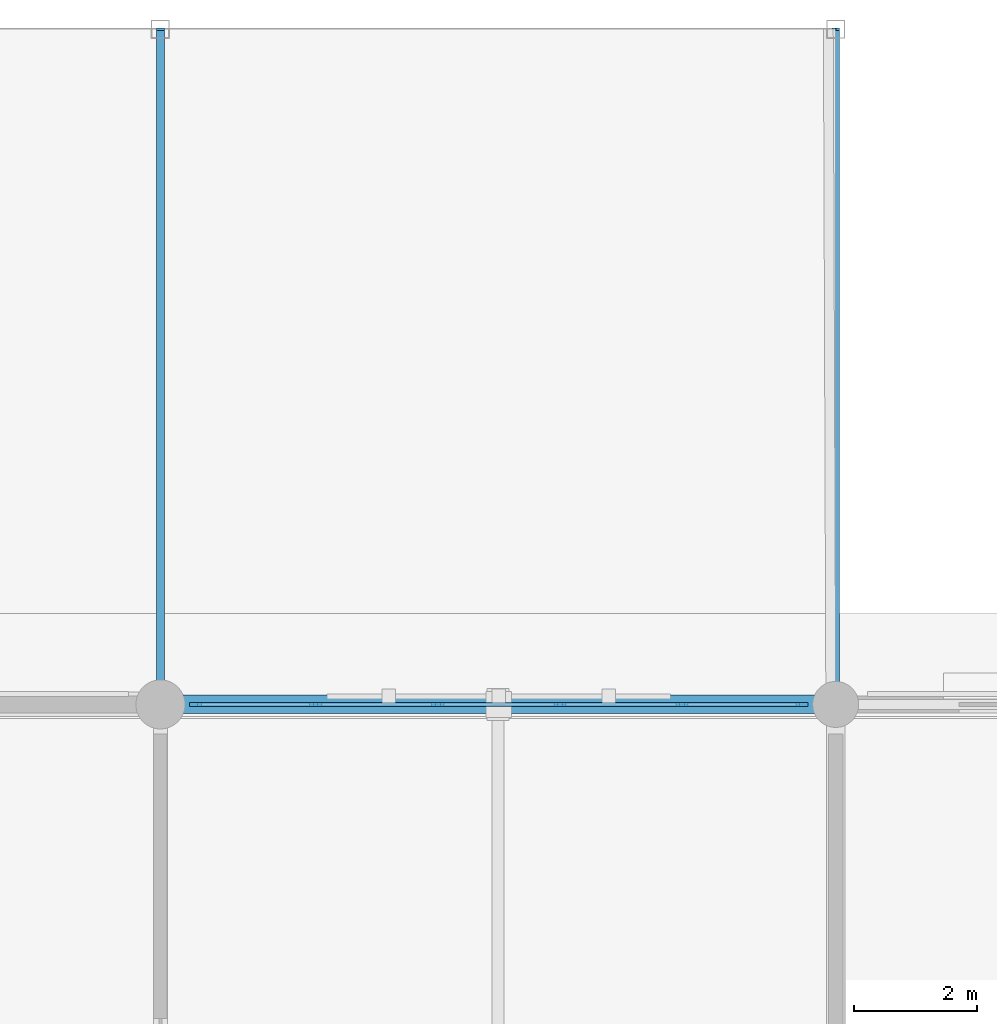
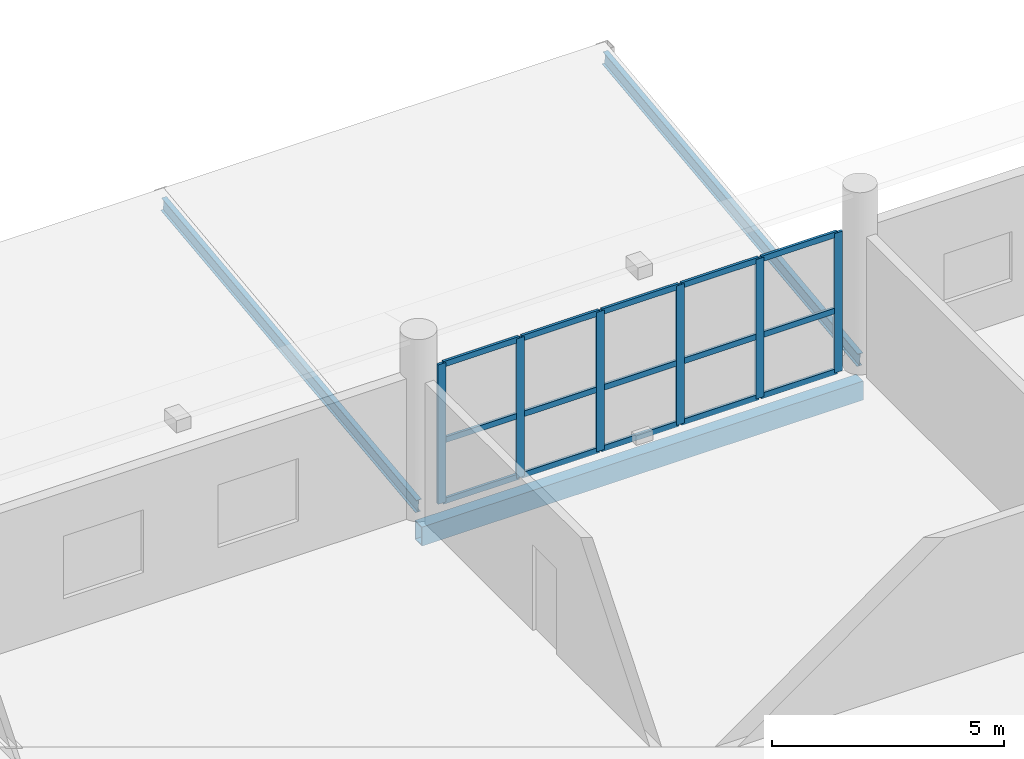
# One storey, part 70 of 143: 21 members, 3 beams, 1 element without a shape of its own.
"""IFC4 building model written with IfcOpenShell, lengths in metres."""

import ifcopenshell
import ifcopenshell.guid

model = None  # the IFC model being written
_history = None  # IfcOwnerHistory: only IFC2X3 demands one
_inside = {}  # id of a spatial element -> (the spatial element, [elements in it])
_under = {}  # id of a project, library or spatial element -> (it, [spatial elements below it])
_declared = {}  # id of a project -> (the project, [libraries it declares])
_typed = {}  # id of a type object -> (the type object, [elements of that type])
_made_of = {}  # id of a material, layer set ... -> (it, [elements and type objects made of it])


def new_model(schema):
    """Start an empty IFC model of exactly this schema.

    Asked for "IFC4X3", IfcOpenShell would pick the latest addendum, in which some entities
    have other attributes; the version numbers below select the first issue.
    IFC2X3 requires an IfcOwnerHistory on every rooted entity: one is made here for all.
    """
    global model, _history
    if schema == "IFC4X3":
        model = ifcopenshell.file(schema_version=(4, 3, 0, 0))
    else:
        model = ifcopenshell.file(schema=schema)
    _inside.clear()
    _under.clear()
    _declared.clear()
    _typed.clear()
    _made_of.clear()
    _history = None
    if model.schema == "IFC2X3":
        org = make("IfcOrganization", Name="unknown")
        user = make(
            "IfcPersonAndOrganization",
            ThePerson=make("IfcPerson", FamilyName="unknown"),
            TheOrganization=org,
        )
        app = make(
            "IfcApplication",
            ApplicationDeveloper=org,
            Version="unknown",
            ApplicationFullName="unknown",
            ApplicationIdentifier="unknown",
        )
        _history = make(
            "IfcOwnerHistory",
            OwningUser=user,
            OwningApplication=app,
            ChangeAction="ADDED",
            CreationDate=0,
        )
    return model


def make(cls, **values):
    """One entity of the class cls with the attributes given. An attribute that is None is left unset."""
    return model.create_entity(
        cls, **{name: value for name, value in values.items() if value is not None}
    )


def rooted(cls, **values):
    """An entity with a GlobalId (a new one), such as an element, a storey or a relation."""
    return make(cls, GlobalId=ifcopenshell.guid.new(), OwnerHistory=_history, **values)


def si_unit(unit_type, name, prefix=None):
    """IfcSIUnit, for example si_unit("LENGTHUNIT", "METRE", prefix="MILLI")."""
    return make("IfcSIUnit", UnitType=unit_type, Prefix=prefix, Name=name)


def assignment(units):
    """IfcUnitAssignment: the units of a project."""
    return None if units is None else make("IfcUnitAssignment", Units=units)


def point(xyz):
    """IfcCartesianPoint."""
    return None if xyz is None else make("IfcCartesianPoint", Coordinates=xyz)


def direction(xyz):
    """IfcDirection."""
    return None if xyz is None else make("IfcDirection", DirectionRatios=xyz)


def frame(location, z_axis=None, x_axis=None):
    """IfcAxis2Placement3D, a coordinate frame: its origin and axes. An axis left out is left unset."""
    return make(
        "IfcAxis2Placement3D",
        Location=point(location),
        Axis=direction(z_axis),
        RefDirection=direction(x_axis),
    )


def frame_2d(location, x_axis=None):
    """IfcAxis2Placement2D, a coordinate frame in the plane: its origin and x axis."""
    return make(
        "IfcAxis2Placement2D", Location=point(location), RefDirection=direction(x_axis)
    )


def origin():
    """The frame at (0, 0, 0) with its axes left unset."""
    return frame((0.0, 0.0, 0.0))


def origin_2d():
    """The frame at (0, 0) in the plane with its x axis left unset."""
    return frame_2d((0.0, 0.0))


def place(relative_to, where):
    """IfcLocalPlacement: puts the frame where relative to a parent placement (None: the world)."""
    return make(
        "IfcLocalPlacement", PlacementRelTo=relative_to, RelativePlacement=where
    )


def context(
    kind, dimensions, precision=None, world=None, true_north=None, identifier=None
):
    """IfcGeometricRepresentationContext, for example the 3D "Model" context."""
    return make(
        "IfcGeometricRepresentationContext",
        ContextIdentifier=identifier,
        ContextType=kind,
        CoordinateSpaceDimension=dimensions,
        Precision=precision,
        WorldCoordinateSystem=world,
        TrueNorth=true_north,
    )


def subcontext(parent, identifier, kind, view, scale=None):
    """IfcGeometricRepresentationSubContext, for example "Body" below "Model"."""
    return make(
        "IfcGeometricRepresentationSubContext",
        ContextIdentifier=identifier,
        ContextType=kind,
        ParentContext=parent,
        TargetScale=scale,
        TargetView=view,
    )


def project(units=None, contexts=None):
    """IfcProject with its units and contexts."""
    return rooted(
        "IfcProject",
        Name="project",
        RepresentationContexts=contexts,
        UnitsInContext=assignment(units),
    )


def spatial(cls, under=None, at=None, **own):
    """A site, building, storey or space (cls), placed at a placement, below another one or the project."""
    s = rooted(cls, ObjectPlacement=at, **own)
    if under is not None:
        _under.setdefault(under.id(), (under, []))[1].append(s)
    return s


def profile(cls, at=None, kind="AREA", **sizes):
    """A parametric profile (cls). Its sizes go by their IFC names, for example OverallWidth=200.0."""
    return make(cls, ProfileType=kind, Position=at, **sizes)


def rectangle(**sizes):
    """IfcRectangleProfileDef."""
    return profile("IfcRectangleProfileDef", **sizes)


def hollow_rectangle(**sizes):
    """IfcRectangleHollowProfileDef."""
    return profile("IfcRectangleHollowProfileDef", **sizes)


def i_section(**sizes):
    """IfcIShapeProfileDef."""
    return profile("IfcIShapeProfileDef", **sizes)


def extrude(swept, where, along, depth):
    """IfcExtrudedAreaSolid: the profile swept, set in the frame where, extruded along a direction by depth."""
    return make(
        "IfcExtrudedAreaSolid",
        SweptArea=swept,
        Position=where,
        ExtrudedDirection=direction(along),
        Depth=depth,
    )


def shape(context_of_items, identifier, shape_type, items):
    """IfcShapeRepresentation: the items that make up one representation, for example the "Body"."""
    return make(
        "IfcShapeRepresentation",
        ContextOfItems=context_of_items,
        RepresentationIdentifier=identifier,
        RepresentationType=shape_type,
        Items=items,
    )


def material(Name=None, Category=None):
    """IfcMaterial."""
    return make("IfcMaterial", Name=Name, Category=Category)


def material_profile(
    of_material, cross_section, Name=None, Category=None, Priority=None
):
    """IfcMaterialProfile: a cross section and its material."""
    return make(
        "IfcMaterialProfile",
        Name=Name,
        Material=of_material,
        Profile=cross_section,
        Priority=Priority,
        Category=Category,
    )


def profile_set(profiles, Name=None, composite=None):
    """IfcMaterialProfileSet."""
    return make(
        "IfcMaterialProfileSet",
        Name=Name,
        MaterialProfiles=profiles,
        CompositeProfile=composite,
    )


def made_of(thing, what):
    """Note that an element or type object is made of a material, layer set ...; save() writes the relation."""
    if what is not None:
        _made_of.setdefault(what.id(), (what, []))[1].append(thing)
    return thing


def type_object(cls, material=None, **own):
    """A type object (cls), such as IfcWallType, which elements share."""
    return made_of(rooted(cls, **own), material)


def element(
    cls,
    number,
    at=None,
    inside=None,
    cuts=None,
    type_object=None,
    material=None,
    context=None,
    identifier="Body",
    shape_type=None,
    held_by="IfcProductDefinitionShape",
    body=None,
    shapes=None,
    **own,
):
    """One element of the class cls, such as IfcWall. Its Tag is "e" and its number.

    at: its placement. inside: the storey or other place that contains it. cuts: it is an
    opening in that element (IfcRelVoidsElement). A single representation is given by context,
    identifier, shape_type and body (its items); several are given by shapes. held_by: the class
    of the entity that holds the representations. save() writes the other relations.
    """
    e = rooted(cls, Tag="e%d" % number, ObjectPlacement=at, **own)
    if body is not None:
        shapes = [shape(context, identifier, shape_type, body)]
    if shapes is not None:
        e.Representation = make(held_by, Representations=shapes)
    if inside is not None:
        _inside.setdefault(inside.id(), (inside, []))[1].append(e)
    if cuts is not None:
        rooted(
            "IfcRelVoidsElement", RelatingBuildingElement=cuts, RelatedOpeningElement=e
        )
    if type_object is not None:
        _typed.setdefault(type_object.id(), (type_object, []))[1].append(e)
    return made_of(e, material)


def aggregate(whole, parts):
    """IfcRelAggregates: a whole, such as a stair, and the parts it consists of."""
    return rooted("IfcRelAggregates", RelatingObject=whole, RelatedObjects=parts)


def save(model, path):
    """Write the relations noted so far, then the file.

    IfcRelAggregates (storeys below a building ...), IfcRelContainedInSpatialStructure (elements
    in a storey), IfcRelDefinesByType, IfcRelAssociatesMaterial and IfcRelDeclares: one each for
    every whole, place, type object, material and project.
    """
    for whole, parts in _under.values():
        aggregate(whole, parts)
    for where, things in _inside.values():
        rooted(
            "IfcRelContainedInSpatialStructure",
            RelatedElements=things,
            RelatingStructure=where,
        )
    for kind, things in _typed.values():
        rooted("IfcRelDefinesByType", RelatedObjects=things, RelatingType=kind)
    for what, things in _made_of.values():
        rooted("IfcRelAssociatesMaterial", RelatedObjects=things, RelatingMaterial=what)
    for by, libraries in _declared.values():
        rooted("IfcRelDeclares", RelatingContext=by, RelatedDefinitions=libraries)
    model.write(path)


model = new_model("IFC4")

# Units and contexts
model_context = context("Model", 3, precision=1e-05, world=origin(), true_north=direction((0.0, 1.0)))
body_context = subcontext(model_context, "Body", "Model", "MODEL_VIEW")
ifc_project = project(units=[si_unit("LENGTHUNIT", "METRE"), si_unit("AREAUNIT", "SQUARE_METRE"), si_unit("VOLUMEUNIT", "CUBIC_METRE"), si_unit("PLANEANGLEUNIT", "RADIAN"), si_unit("MASSUNIT", "GRAM", prefix="KILO")], contexts=[model_context])

# Site, building, storey
site_placement = place(None, origin())
site = spatial("IfcSite", under=ifc_project, at=site_placement, CompositionType="ELEMENT")
building_placement = place(site_placement, origin())
building = spatial("IfcBuilding", under=site, at=building_placement, Name="Luwafu Chhajja Arena", CompositionType="ELEMENT")
storey_placement = place(building_placement, frame((0.0, 0.0, 5.39990234375)))
storey = spatial("IfcBuildingStorey", under=building, at=storey_placement, Name="L01", CompositionType="ELEMENT", Elevation=5.39990234375)

# Curtain wall, members
ifc_material_1 = material(Name="Anodised bronze aluminium", Category="aluminium")
curtain_wall_type = type_object("IfcCurtainWallType", Name="VIP Club Terrace Curtain Wall", PredefinedType="USERDEFINED", material=ifc_material_1)
curtain_wall_placement = place(storey_placement, origin())
curtain_wall = element("IfcCurtainWall", 1, at=curtain_wall_placement, inside=storey, type_object=curtain_wall_type, Name="L01 Curtain Wall CWG-L01-H15_11", ObjectType="CURTAIN WALL", PredefinedType="USERDEFINED")
ifc_material_profile_1 = material_profile(ifc_material_1, rectangle(XDim=0.06494140625, YDim=0.199951171875, at=origin_2d()), Name="CWM 65x200")
ifc_profile_set_1 = profile_set([ifc_material_profile_1], Name="Anodised bronze aluminium")
member_type_1 = type_object("IfcMemberType", Name="Bronze Curtain Wall Mullion 65x200", PredefinedType="MULLION", material=ifc_profile_set_1)
member_1_placement = place(storey_placement, frame((176.572509765625, 121.0, 0.030029296875), z_axis=(0.0, 0.0, 1.0), x_axis=(0.0, 1.0, 0.0)))
member_1 = element("IfcMember", 2, at=member_1_placement, type_object=member_type_1, Name="CW-10 mullion 1", PredefinedType="MULLION", context=body_context, shape_type="SweptSolid", body=[
    extrude(rectangle(XDim=0.06494140625, YDim=0.199951171875, at=origin_2d()), origin(), (0.0, 0.0, 1.0), 3.675048828125),
])
member_2_placement = place(storey_placement, frame((178.529052734375, 121.0, 0.030029296875), z_axis=(0.0, 0.0, 1.0), x_axis=(0.0, 1.0, 0.0)))
member_2 = element("IfcMember", 3, at=member_2_placement, type_object=member_type_1, Name="CW-10 mullion 2", PredefinedType="MULLION", context=body_context, shape_type="SweptSolid", body=[
    extrude(rectangle(XDim=0.06494140625, YDim=0.199951171875, at=origin_2d()), origin(), (0.0, 0.0, 1.0), 3.675048828125),
])
member_3_placement = place(storey_placement, frame((180.51806640625, 121.0, 0.030029296875), z_axis=(0.0, 0.0, 1.0), x_axis=(0.0, 1.0, 0.0)))
member_3 = element("IfcMember", 4, at=member_3_placement, type_object=member_type_1, Name="CW-10 mullion 3", PredefinedType="MULLION", context=body_context, shape_type="SweptSolid", body=[
    extrude(rectangle(XDim=0.06494140625, YDim=0.199951171875, at=origin_2d()), origin(), (0.0, 0.0, 1.0), 3.675048828125),
])
member_4_placement = place(storey_placement, frame((182.507080078125, 121.0, 0.030029296875), z_axis=(0.0, 0.0, 1.0), x_axis=(0.0, 1.0, 0.0)))
member_4 = element("IfcMember", 5, at=member_4_placement, type_object=member_type_1, Name="CW-10 mullion 4", PredefinedType="MULLION", context=body_context, shape_type="SweptSolid", body=[
    extrude(rectangle(XDim=0.06494140625, YDim=0.199951171875, at=origin_2d()), origin(), (0.0, 0.0, 1.0), 3.675048828125),
])
member_5_placement = place(storey_placement, frame((184.49609375, 121.0, 0.030029296875), z_axis=(0.0, 0.0, 1.0), x_axis=(0.0, 1.0, 0.0)))
member_5 = element("IfcMember", 6, at=member_5_placement, type_object=member_type_1, Name="CW-10 mullion 5", PredefinedType="MULLION", context=body_context, shape_type="SweptSolid", body=[
    extrude(rectangle(XDim=0.06494140625, YDim=0.199951171875, at=origin_2d()), origin(), (0.0, 0.0, 1.0), 3.675048828125),
])
member_6_placement = place(storey_placement, frame((186.452392578125, 121.0, 0.030029296875), z_axis=(0.0, 0.0, 1.0), x_axis=(0.0, 1.0, 0.0)))
member_6 = element("IfcMember", 7, at=member_6_placement, type_object=member_type_1, Name="CW-10 mullion 6", PredefinedType="MULLION", context=body_context, shape_type="SweptSolid", body=[
    extrude(rectangle(XDim=0.06494140625, YDim=0.199951171875, at=origin_2d()), origin(), (0.0, 0.0, 1.0), 3.675048828125),
])
ifc_material_profile_2 = material_profile(ifc_material_1, rectangle(XDim=0.06494140625, YDim=0.14990234375, at=origin_2d()), Name="CWT 65x150")
ifc_profile_set_2 = profile_set([ifc_material_profile_2], Name="Anodised bronze aluminium")
member_type_2 = type_object("IfcMemberType", Name="Bronze Curtain Wall Transom 65x150", PredefinedType="USERDEFINED", material=ifc_profile_set_2)
member_7_placement = place(storey_placement, frame((176.60498046875, 121.0, 0.0625), z_axis=(1.0, 0.0, 0.0), x_axis=(0.0, 1.0, 0.0)))
member_7 = element("IfcMember", 8, at=member_7_placement, type_object=member_type_2, Name="CW-10 transom 1.1", ObjectType="TRANSOM", PredefinedType="USERDEFINED", context=body_context, shape_type="SweptSolid", body=[
    extrude(rectangle(XDim=0.06494140625, YDim=0.14990234375, at=origin_2d()), origin(), (0.0, 0.0, 1.0), 1.8916015625),
])
member_8_placement = place(storey_placement, frame((176.60498046875, 121.0, 1.66748046875), z_axis=(1.0, 0.0, 0.0), x_axis=(0.0, 1.0, 0.0)))
member_8 = element("IfcMember", 9, at=member_8_placement, type_object=member_type_2, Name="CW-10 transom 1.2", ObjectType="TRANSOM", PredefinedType="USERDEFINED", context=body_context, shape_type="SweptSolid", body=[
    extrude(rectangle(XDim=0.06494140625, YDim=0.14990234375, at=origin_2d()), origin(), (0.0, 0.0, 1.0), 1.8916015625),
])
member_9_placement = place(storey_placement, frame((176.60498046875, 121.0, 3.672607421875), z_axis=(1.0, 0.0, 0.0), x_axis=(0.0, 1.0, 0.0)))
member_9 = element("IfcMember", 10, at=member_9_placement, type_object=member_type_2, Name="CW-10 transom 1.3", ObjectType="TRANSOM", PredefinedType="USERDEFINED", context=body_context, shape_type="SweptSolid", body=[
    extrude(rectangle(XDim=0.06494140625, YDim=0.14990234375, at=origin_2d()), origin(), (0.0, 0.0, 1.0), 1.8916015625),
])
member_10_placement = place(storey_placement, frame((178.5615234375, 121.0, 0.0625), z_axis=(1.0, 0.0, 0.0), x_axis=(0.0, 1.0, 0.0)))
member_10 = element("IfcMember", 11, at=member_10_placement, type_object=member_type_2, Name="CW-10 transom 2.1", ObjectType="TRANSOM", PredefinedType="USERDEFINED", context=body_context, shape_type="SweptSolid", body=[
    extrude(rectangle(XDim=0.06494140625, YDim=0.14990234375, at=origin_2d()), origin(), (0.0, 0.0, 1.0), 1.924072265625),
])
member_11_placement = place(storey_placement, frame((178.5615234375, 121.0, 1.66748046875), z_axis=(1.0, 0.0, 0.0), x_axis=(0.0, 1.0, 0.0)))
member_11 = element("IfcMember", 12, at=member_11_placement, type_object=member_type_2, Name="CW-10 transom 2.2", ObjectType="TRANSOM", PredefinedType="USERDEFINED", context=body_context, shape_type="SweptSolid", body=[
    extrude(rectangle(XDim=0.06494140625, YDim=0.14990234375, at=origin_2d()), origin(), (0.0, 0.0, 1.0), 1.924072265625),
])
member_12_placement = place(storey_placement, frame((178.5615234375, 121.0, 3.672607421875), z_axis=(1.0, 0.0, 0.0), x_axis=(0.0, 1.0, 0.0)))
member_12 = element("IfcMember", 13, at=member_12_placement, type_object=member_type_2, Name="CW-10 transom 2.3", ObjectType="TRANSOM", PredefinedType="USERDEFINED", context=body_context, shape_type="SweptSolid", body=[
    extrude(rectangle(XDim=0.06494140625, YDim=0.14990234375, at=origin_2d()), origin(), (0.0, 0.0, 1.0), 1.924072265625),
])
member_13_placement = place(storey_placement, frame((180.550537109375, 121.0, 0.0625), z_axis=(1.0, 0.0, 0.0), x_axis=(0.0, 1.0, 0.0)))
member_13 = element("IfcMember", 14, at=member_13_placement, type_object=member_type_2, Name="CW-10 transom 3.1", ObjectType="TRANSOM", PredefinedType="USERDEFINED", context=body_context, shape_type="SweptSolid", body=[
    extrude(rectangle(XDim=0.06494140625, YDim=0.14990234375, at=origin_2d()), origin(), (0.0, 0.0, 1.0), 1.924072265625),
])
member_14_placement = place(storey_placement, frame((180.550537109375, 121.0, 1.66748046875), z_axis=(1.0, 0.0, 0.0), x_axis=(0.0, 1.0, 0.0)))
member_14 = element("IfcMember", 15, at=member_14_placement, type_object=member_type_2, Name="CW-10 transom 3.2", ObjectType="TRANSOM", PredefinedType="USERDEFINED", context=body_context, shape_type="SweptSolid", body=[
    extrude(rectangle(XDim=0.06494140625, YDim=0.14990234375, at=origin_2d()), origin(), (0.0, 0.0, 1.0), 1.924072265625),
])
member_15_placement = place(storey_placement, frame((180.550537109375, 121.0, 3.672607421875), z_axis=(1.0, 0.0, 0.0), x_axis=(0.0, 1.0, 0.0)))
member_15 = element("IfcMember", 16, at=member_15_placement, type_object=member_type_2, Name="CW-10 transom 3.3", ObjectType="TRANSOM", PredefinedType="USERDEFINED", context=body_context, shape_type="SweptSolid", body=[
    extrude(rectangle(XDim=0.06494140625, YDim=0.14990234375, at=origin_2d()), origin(), (0.0, 0.0, 1.0), 1.924072265625),
])
member_16_placement = place(storey_placement, frame((182.53955078125, 121.0, 0.0625), z_axis=(1.0, 0.0, 0.0), x_axis=(0.0, 1.0, 0.0)))
member_16 = element("IfcMember", 17, at=member_16_placement, type_object=member_type_2, Name="CW-10 transom 4.1", ObjectType="TRANSOM", PredefinedType="USERDEFINED", context=body_context, shape_type="SweptSolid", body=[
    extrude(rectangle(XDim=0.06494140625, YDim=0.14990234375, at=origin_2d()), origin(), (0.0, 0.0, 1.0), 1.923828125),
])
member_17_placement = place(storey_placement, frame((182.53955078125, 121.0, 1.66748046875), z_axis=(1.0, 0.0, 0.0), x_axis=(0.0, 1.0, 0.0)))
member_17 = element("IfcMember", 18, at=member_17_placement, type_object=member_type_2, Name="CW-10 transom 4.2", ObjectType="TRANSOM", PredefinedType="USERDEFINED", context=body_context, shape_type="SweptSolid", body=[
    extrude(rectangle(XDim=0.06494140625, YDim=0.14990234375, at=origin_2d()), origin(), (0.0, 0.0, 1.0), 1.923828125),
])
member_18_placement = place(storey_placement, frame((182.53955078125, 121.0, 3.672607421875), z_axis=(1.0, 0.0, 0.0), x_axis=(0.0, 1.0, 0.0)))
member_18 = element("IfcMember", 19, at=member_18_placement, type_object=member_type_2, Name="CW-10 transom 4.3", ObjectType="TRANSOM", PredefinedType="USERDEFINED", context=body_context, shape_type="SweptSolid", body=[
    extrude(rectangle(XDim=0.06494140625, YDim=0.14990234375, at=origin_2d()), origin(), (0.0, 0.0, 1.0), 1.923828125),
])
member_19_placement = place(storey_placement, frame((184.528564453125, 121.0, 0.0625), z_axis=(1.0, 0.0, 0.0), x_axis=(0.0, 1.0, 0.0)))
member_19 = element("IfcMember", 20, at=member_19_placement, type_object=member_type_2, Name="CW-10 transom 5.1", ObjectType="TRANSOM", PredefinedType="USERDEFINED", context=body_context, shape_type="SweptSolid", body=[
    extrude(rectangle(XDim=0.06494140625, YDim=0.14990234375, at=origin_2d()), origin(), (0.0, 0.0, 1.0), 1.891357421875),
])
member_20_placement = place(storey_placement, frame((184.528564453125, 121.0, 1.66748046875), z_axis=(1.0, 0.0, 0.0), x_axis=(0.0, 1.0, 0.0)))
member_20 = element("IfcMember", 21, at=member_20_placement, type_object=member_type_2, Name="CW-10 transom 5.2", ObjectType="TRANSOM", PredefinedType="USERDEFINED", context=body_context, shape_type="SweptSolid", body=[
    extrude(rectangle(XDim=0.06494140625, YDim=0.14990234375, at=origin_2d()), origin(), (0.0, 0.0, 1.0), 1.891357421875),
])
member_21_placement = place(storey_placement, frame((184.528564453125, 121.0, 3.672607421875), z_axis=(1.0, 0.0, 0.0), x_axis=(0.0, 1.0, 0.0)))
member_21 = element("IfcMember", 22, at=member_21_placement, type_object=member_type_2, Name="CW-10 transom 5.3", ObjectType="TRANSOM", PredefinedType="USERDEFINED", context=body_context, shape_type="SweptSolid", body=[
    extrude(rectangle(XDim=0.06494140625, YDim=0.14990234375, at=origin_2d()), origin(), (0.0, 0.0, 1.0), 1.891357421875),
])
aggregate(curtain_wall, [member_1, member_2, member_3, member_4, member_5, member_6, member_7, member_8, member_9, member_10, member_11, member_12, member_13, member_14, member_15, member_16, member_17, member_18, member_19, member_20, member_21])

# Beams
ifc_material_2 = material(Name="Steel S355", Category="steel")
ifc_material_profile_3 = material_profile(ifc_material_2, i_section(OverallWidth=0.1259765625, OverallDepth=0.353515625, WebThickness=0.006591796875, FlangeThickness=0.0107421875, at=origin_2d()), Name="UB 356x127x39")
ifc_profile_set_3 = profile_set([ifc_material_profile_3], Name="Steel S355")
beam_type_1 = type_object("IfcBeamType", Name="Canopy Joist UB 356x127x39", PredefinedType="JOIST", material=ifc_profile_set_3)
for number, where, z_axis, x_axis, name in (
    (23, (176.0, 121.0, 0.14013671875), (0.0, 0.993088327257, 0.11736939237), (-1.0, 0.0, 0.0), "L01 Cloister Roof Rafter 16/M-N"),
    (24, (187.0, 121.0, 0.14013671875), (0.0, 0.993088327257, 0.11736939237), (-1.0, 0.0, 0.0), "L01 Cloister Roof Rafter 17/M-N"),
):
    element("IfcBeam", number, at=place(storey_placement, frame(where, z_axis=z_axis, x_axis=x_axis)), inside=storey, type_object=beam_type_1, Name=name, PredefinedType="JOIST", context=body_context, shape_type="SweptSolid", body=[
        extrude(i_section(OverallWidth=0.1259765625, OverallDepth=0.353515625, WebThickness=0.006591796875, FlangeThickness=0.0107421875, at=origin_2d()), origin(), (0.0, 0.0, 1.0), 11.07666015625),
    ])
ifc_material_profile_4 = material_profile(ifc_material_2, hollow_rectangle(XDim=0.300048828125, YDim=0.5, WallThickness=0.02001953125, at=origin_2d()), Name="RHS 500x300x20")
ifc_profile_set_4 = profile_set([ifc_material_profile_4], Name="Steel S355")
beam_type_2 = type_object("IfcBeamType", Name="Pleated Drum Spandrel Beam RHS 500x300", PredefinedType="SPANDREL", material=ifc_profile_set_4)
beam_placement = place(storey_placement, frame((176.0, 121.0, -0.579833984375), z_axis=(1.0, 0.0, 0.0), x_axis=(0.0, 1.0, 0.0)))
element("IfcBeam", 25, at=beam_placement, inside=storey, type_object=beam_type_2, Name="L01 Grid Beam 16-17/M", PredefinedType="SPANDREL", context=body_context, shape_type="SweptSolid", body=[
    extrude(hollow_rectangle(XDim=0.300048828125, YDim=0.5, WallThickness=0.02001953125, at=origin_2d()), origin(), (0.0, 0.0, 1.0), 11.0),
])

save(model, "model.ifc")
